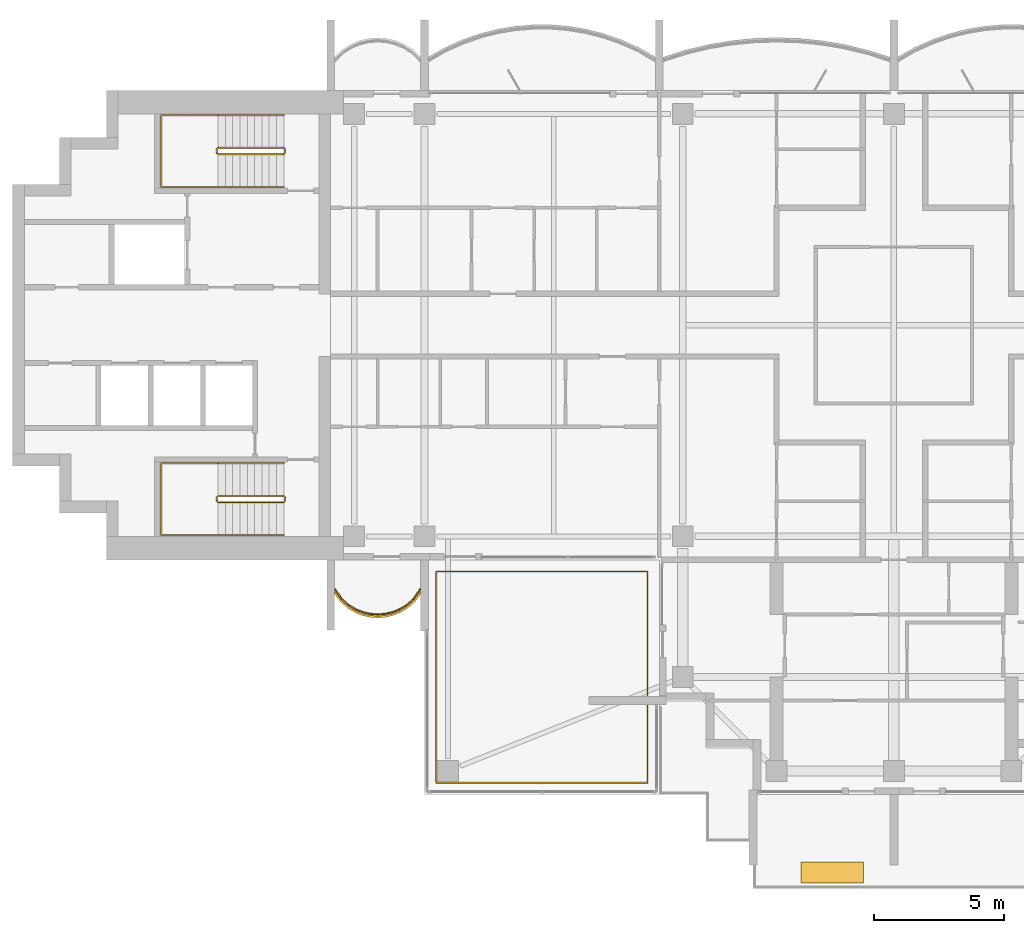
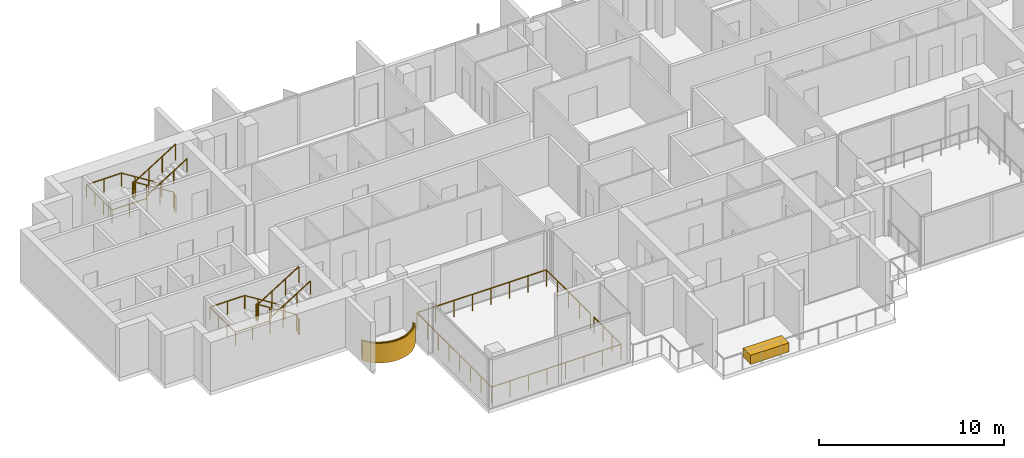
# One storey, part 13 of 16: 6 railings, 2 coverings.
"""IFC4 building model written with IfcOpenShell, lengths in metres."""

from ifc_helpers import new_model, si_unit, direction, frame, origin, origin_2d, place, context, subcontext, project, spatial, polyline, rectangle, outline, extrude, material, layer, layer_set, type_object, element, save


model = new_model("IFC4")

# Units and contexts
model_context = context("Model", 3, precision=1e-05, world=origin(), true_north=direction((0.0, 1.0)))
body_context = subcontext(model_context, "Body", "Model", "MODEL_VIEW")
ifc_project = project(units=[si_unit("LENGTHUNIT", "METRE"), si_unit("AREAUNIT", "SQUARE_METRE"), si_unit("VOLUMEUNIT", "CUBIC_METRE"), si_unit("PLANEANGLEUNIT", "RADIAN"), si_unit("MASSUNIT", "GRAM", prefix="KILO")], contexts=[model_context])

# Site, building, storey
site_placement = place(None, origin())
site = spatial("IfcSite", under=ifc_project, at=site_placement, CompositionType="ELEMENT")
building_placement = place(site_placement, origin())
building = spatial("IfcBuilding", under=site, at=building_placement, Name="Perihelion Cross Residences", CompositionType="ELEMENT")
storey_placement = place(building_placement, frame((0.0, 0.0, 232.5)))
storey = spatial("IfcBuildingStorey", under=building, at=storey_placement, Name="L58", CompositionType="ELEMENT", Elevation=232.5)

# Covering
ifc_material_1 = material(Name="Bronze anodised aluminium", Category="aluminium")
ifc_layer = layer(ifc_material_1, 0.070068359375)
ifc_layer_set = layer_set([ifc_layer], Name="Balcony fascia 1300")
covering_type_1 = type_object("IfcCoveringType", Name="Balcony fascia 1300", PredefinedType="CLADDING", material=ifc_layer_set)
covering_1_placement = place(storey_placement, frame((0.0, 0.0, -0.199951171875)))
element("IfcCovering", 1, at=covering_1_placement, inside=storey, type_object=covering_type_1, Name="Fascia BF1 L58 west side south bay 1", PredefinedType="CLADDING", context=body_context, shape_type="SweptSolid", body=[
    extrude(outline(polyline([(-21.226318359375, -10.616455078125), (-20.94091796875, -10.86328125), (-20.655517578125, -11.031494140625), (-20.370361328125, -11.142578125), (-20.085205078125, -11.206298828125), (-19.800048828125, -11.22705078125), (-19.514892578125, -11.206298828125), (-19.229736328125, -11.142578125), (-18.9443359375, -11.031494140625), (-18.6591796875, -10.86328125), (-18.373779296875, -10.616455078125), (-18.14990234375, -10.31689453125), (-18.14990234375, -10.199951171875), (-18.425048828125, -10.568603515625), (-18.699951171875, -10.806396484375), (-18.97509765625, -10.96875), (-19.25, -11.07568359375), (-19.52490234375, -11.136962890625), (-19.800048828125, -11.156982421875), (-20.074951171875, -11.136962890625), (-20.35009765625, -11.07568359375), (-20.625, -10.96875), (-20.89990234375, -10.806396484375), (-21.175048828125, -10.568603515625), (-21.449951171875, -10.199951171875), (-21.449951171875, -10.31689453125), (-21.226318359375, -10.616455078125)])), origin(), (0.0, 0.0, 1.0), 1.300048828125),
])

# Railings
ifc_material_2 = material(Name="Bronze anodised aluminium", Category="aluminium")
railing_type_1 = type_object("IfcRailingType", Name="Balcony guard 1100", PredefinedType="GUARDRAIL", material=ifc_material_2)
railing_1_placement = place(storey_placement, frame((-21.425048828125, -10.139892578125, 0.0)))
element("IfcRailing", 2, at=railing_1_placement, inside=storey, type_object=railing_type_1, Name="Guard GU1 L58 west side south bay 1 balcony", PredefinedType="GUARDRAIL", context=body_context, shape_type="SweptSolid", body=[
    extrude(rectangle(XDim=0.048095703125, YDim=0.048095703125, at=origin_2d()), frame((0.0, 0.0, 1.076171875), z_axis=(0.561260132269, -0.827639452857, 0.0), x_axis=(0.827639452857, 0.561260132269, 0.0)), (0.0, 0.0, 1.0), 0.4453125),
    extrude(rectangle(XDim=0.048095703125, YDim=0.048095703125, at=origin_2d()), frame((0.25, -0.36865234375, 1.076171875), z_axis=(0.756596535164, -0.653882009982, 0.0), x_axis=(0.653882009982, 0.756596535164, 0.0)), (0.0, 0.0, 1.0), 0.36376953125),
    extrude(rectangle(XDim=0.048095703125, YDim=0.048095703125, at=origin_2d()), frame((0.525146484375, -0.6064453125, 1.076171875), z_axis=(0.861048292884, -0.508523192511, 0.0), x_axis=(0.508523192511, 0.861048292884, 0.0)), (0.0, 0.0, 1.0), 0.3193359375),
    extrude(rectangle(XDim=0.048095703125, YDim=0.048095703125, at=origin_2d()), frame((0.800048828125, -0.768798828125, 1.076171875), z_axis=(0.931973602183, -0.362526143656, 0.0), x_axis=(0.362526143656, 0.931973602183, 0.0)), (0.0, 0.0, 1.0), 0.294921875),
    extrude(rectangle(XDim=0.048095703125, YDim=0.048095703125, at=origin_2d()), frame((1.074951171875, -0.875732421875, 1.076171875), z_axis=(0.976085059389, -0.21738895289, 0.0), x_axis=(0.21738895289, 0.976085059389, 0.0)), (0.0, 0.0, 1.0), 0.281982421875),
    extrude(rectangle(XDim=0.048095703125, YDim=0.048095703125, at=origin_2d()), frame((1.35009765625, -0.93701171875, 1.076171875), z_axis=(0.997358821833, -0.072631814734, 0.0), x_axis=(0.072631814734, 0.997358821833, 0.0)), (0.0, 0.0, 1.0), 0.275634765625),
    extrude(rectangle(XDim=0.048095703125, YDim=0.048095703125, at=origin_2d()), frame((1.625, -0.95703125, 1.076171875), z_axis=(0.997363488337, 0.072567707226, 0.0), x_axis=(-0.072567707226, 0.997363488337, 0.0)), (0.0, 0.0, 1.0), 0.27587890625),
    extrude(rectangle(XDim=0.048095703125, YDim=0.048095703125, at=origin_2d()), frame((1.900146484375, -0.93701171875, 1.076171875), z_axis=(0.976044077717, 0.217572880557, 0.0), x_axis=(-0.217572880557, 0.976044077717, 0.0)), (0.0, 0.0, 1.0), 0.28173828125),
    extrude(rectangle(XDim=0.048095703125, YDim=0.048095703125, at=origin_2d()), frame((2.175048828125, -0.875732421875, 1.076171875), z_axis=(0.931973602183, 0.362526143656, 0.0), x_axis=(-0.362526143656, 0.931973602183, 0.0)), (0.0, 0.0, 1.0), 0.294921875),
    extrude(rectangle(XDim=0.048095703125, YDim=0.048095703125, at=origin_2d()), frame((2.449951171875, -0.768798828125, 1.076171875), z_axis=(0.861245845072, 0.508188542123, 0.0), x_axis=(-0.508188542123, 0.861245845072, 0.0)), (0.0, 0.0, 1.0), 0.319580078125),
    extrude(rectangle(XDim=0.048095703125, YDim=0.048095703125, at=origin_2d()), frame((2.72509765625, -0.6064453125, 1.076171875), z_axis=(0.756309278473, 0.654214242658, 0.0), x_axis=(-0.654214242658, 0.756309278473, 0.0)), (0.0, 0.0, 1.0), 0.363525390625),
    extrude(rectangle(XDim=0.048095703125, YDim=0.048095703125, at=origin_2d()), frame((3.0, -0.36865234375, 1.076171875), z_axis=(0.561260132269, 0.827639452857, 0.0), x_axis=(-0.827639452857, 0.561260132269, 0.0)), (0.0, 0.0, 1.0), 0.4453125),
    extrude(rectangle(XDim=0.0419921875, YDim=0.0419921875, at=origin_2d()), origin(), (0.0, 0.0, 1.0), 1.052001953125),
    extrude(rectangle(XDim=0.0419921875, YDim=0.0419921875, at=origin_2d()), frame((0.25, -0.36865234375, 0.0)), (0.0, 0.0, 1.0), 1.052001953125),
    extrude(rectangle(XDim=0.0419921875, YDim=0.0419921875, at=origin_2d()), frame((0.525146484375, -0.6064453125, 0.0)), (0.0, 0.0, 1.0), 1.052001953125),
    extrude(rectangle(XDim=0.0419921875, YDim=0.0419921875, at=origin_2d()), frame((0.800048828125, -0.768798828125, 0.0)), (0.0, 0.0, 1.0), 1.052001953125),
    extrude(rectangle(XDim=0.0419921875, YDim=0.0419921875, at=origin_2d()), frame((1.074951171875, -0.875732421875, 0.0)), (0.0, 0.0, 1.0), 1.052001953125),
    extrude(rectangle(XDim=0.0419921875, YDim=0.0419921875, at=origin_2d()), frame((1.35009765625, -0.93701171875, 0.0)), (0.0, 0.0, 1.0), 1.052001953125),
    extrude(rectangle(XDim=0.0419921875, YDim=0.0419921875, at=origin_2d()), frame((1.625, -0.95703125, 0.0)), (0.0, 0.0, 1.0), 1.052001953125),
    extrude(rectangle(XDim=0.0419921875, YDim=0.0419921875, at=origin_2d()), frame((1.900146484375, -0.93701171875, 0.0)), (0.0, 0.0, 1.0), 1.052001953125),
    extrude(rectangle(XDim=0.0419921875, YDim=0.0419921875, at=origin_2d()), frame((2.175048828125, -0.875732421875, 0.0)), (0.0, 0.0, 1.0), 1.052001953125),
    extrude(rectangle(XDim=0.0419921875, YDim=0.0419921875, at=origin_2d()), frame((2.449951171875, -0.768798828125, 0.0)), (0.0, 0.0, 1.0), 1.052001953125),
    extrude(rectangle(XDim=0.0419921875, YDim=0.0419921875, at=origin_2d()), frame((2.72509765625, -0.6064453125, 0.0)), (0.0, 0.0, 1.0), 1.052001953125),
    extrude(rectangle(XDim=0.0419921875, YDim=0.0419921875, at=origin_2d()), frame((3.0, -0.36865234375, 0.0)), (0.0, 0.0, 1.0), 1.052001953125),
    extrude(rectangle(XDim=0.0419921875, YDim=0.0419921875, at=origin_2d()), frame((3.25, 0.0, 0.0)), (0.0, 0.0, 1.0), 1.052001953125),
])
railing_2_placement = place(storey_placement, frame((-9.449951171875, -14.590087890625, 0.0)))
element("IfcRailing", 3, at=railing_2_placement, inside=storey, type_object=railing_type_1, Name="Guard GU1 L58 pocket south-west 1", PredefinedType="GUARDRAIL", context=body_context, shape_type="SweptSolid", body=[
    extrude(rectangle(XDim=0.048095703125, YDim=0.048095703125, at=origin_2d()), frame((0.0, 0.0, 1.076171875), z_axis=(0.0, -1.0, 0.0), x_axis=(1.0, 0.0, 0.0)), (0.0, 0.0, 1.0), 2.9599609375),
    extrude(rectangle(XDim=0.048095703125, YDim=0.048095703125, at=origin_2d()), frame((0.0, -2.9599609375, 1.076171875), z_axis=(-1.0, 0.0, 0.0), x_axis=(0.0, -1.0, 0.0)), (0.0, 0.0, 1.0), 8.10009765625),
    extrude(rectangle(XDim=0.048095703125, YDim=0.048095703125, at=origin_2d()), frame((-8.10009765625, -2.9599609375, 1.076171875), z_axis=(0.0, 1.0, 0.0), x_axis=(-1.0, 0.0, 0.0)), (0.0, 0.0, 1.0), 8.10009765625),
    extrude(rectangle(XDim=0.048095703125, YDim=0.048095703125, at=origin_2d()), frame((-8.10009765625, 5.14013671875, 1.076171875), z_axis=(1.0, 0.0, 0.0), x_axis=(0.0, 1.0, 0.0)), (0.0, 0.0, 1.0), 8.10009765625),
    extrude(rectangle(XDim=0.048095703125, YDim=0.048095703125, at=origin_2d()), frame((0.0, 5.14013671875, 1.076171875), z_axis=(0.0, -1.0, 0.0), x_axis=(1.0, 0.0, 0.0)), (0.0, 0.0, 1.0), 4.760009765625),
    extrude(rectangle(XDim=0.0419921875, YDim=0.0419921875, at=origin_2d()), origin(), (0.0, 0.0, 1.0), 1.052001953125),
    extrude(rectangle(XDim=0.0419921875, YDim=0.0419921875, at=origin_2d()), frame((0.0, -0.986572265625, 0.0)), (0.0, 0.0, 1.0), 1.052001953125),
    extrude(rectangle(XDim=0.0419921875, YDim=0.0419921875, at=origin_2d()), frame((0.0, -1.973388671875, 0.0)), (0.0, 0.0, 1.0), 1.052001953125),
    extrude(rectangle(XDim=0.0419921875, YDim=0.0419921875, at=origin_2d()), frame((0.0, -2.9599609375, 0.0)), (0.0, 0.0, 1.0), 1.052001953125),
    extrude(rectangle(XDim=0.0419921875, YDim=0.0419921875, at=origin_2d()), frame((-1.1572265625, -2.9599609375, 0.0)), (0.0, 0.0, 1.0), 1.052001953125),
    extrude(rectangle(XDim=0.0419921875, YDim=0.0419921875, at=origin_2d()), frame((-2.314208984375, -2.9599609375, 0.0)), (0.0, 0.0, 1.0), 1.052001953125),
    extrude(rectangle(XDim=0.0419921875, YDim=0.0419921875, at=origin_2d()), frame((-3.471435546875, -2.9599609375, 0.0)), (0.0, 0.0, 1.0), 1.052001953125),
    extrude(rectangle(XDim=0.0419921875, YDim=0.0419921875, at=origin_2d()), frame((-4.628662109375, -2.9599609375, 0.0)), (0.0, 0.0, 1.0), 1.052001953125),
    extrude(rectangle(XDim=0.0419921875, YDim=0.0419921875, at=origin_2d()), frame((-5.785888671875, -2.9599609375, 0.0)), (0.0, 0.0, 1.0), 1.052001953125),
    extrude(rectangle(XDim=0.0419921875, YDim=0.0419921875, at=origin_2d()), frame((-6.94287109375, -2.9599609375, 0.0)), (0.0, 0.0, 1.0), 1.052001953125),
    extrude(rectangle(XDim=0.0419921875, YDim=0.0419921875, at=origin_2d()), frame((-8.10009765625, -2.9599609375, 0.0)), (0.0, 0.0, 1.0), 1.052001953125),
    extrude(rectangle(XDim=0.0419921875, YDim=0.0419921875, at=origin_2d()), frame((-8.10009765625, -1.802734375, 0.0)), (0.0, 0.0, 1.0), 1.052001953125),
    extrude(rectangle(XDim=0.0419921875, YDim=0.0419921875, at=origin_2d()), frame((-8.10009765625, -0.645751953125, 0.0)), (0.0, 0.0, 1.0), 1.052001953125),
    extrude(rectangle(XDim=0.0419921875, YDim=0.0419921875, at=origin_2d()), frame((-8.10009765625, 0.511474609375, 0.0)), (0.0, 0.0, 1.0), 1.052001953125),
    extrude(rectangle(XDim=0.0419921875, YDim=0.0419921875, at=origin_2d()), frame((-8.10009765625, 1.668701171875, 0.0)), (0.0, 0.0, 1.0), 1.052001953125),
    extrude(rectangle(XDim=0.0419921875, YDim=0.0419921875, at=origin_2d()), frame((-8.10009765625, 2.825927734375, 0.0)), (0.0, 0.0, 1.0), 1.052001953125),
    extrude(rectangle(XDim=0.0419921875, YDim=0.0419921875, at=origin_2d()), frame((-8.10009765625, 3.98291015625, 0.0)), (0.0, 0.0, 1.0), 1.052001953125),
    extrude(rectangle(XDim=0.0419921875, YDim=0.0419921875, at=origin_2d()), frame((-8.10009765625, 5.14013671875, 0.0)), (0.0, 0.0, 1.0), 1.052001953125),
    extrude(rectangle(XDim=0.0419921875, YDim=0.0419921875, at=origin_2d()), frame((-6.94287109375, 5.14013671875, 0.0)), (0.0, 0.0, 1.0), 1.052001953125),
    extrude(rectangle(XDim=0.0419921875, YDim=0.0419921875, at=origin_2d()), frame((-5.785888671875, 5.14013671875, 0.0)), (0.0, 0.0, 1.0), 1.052001953125),
    extrude(rectangle(XDim=0.0419921875, YDim=0.0419921875, at=origin_2d()), frame((-4.628662109375, 5.14013671875, 0.0)), (0.0, 0.0, 1.0), 1.052001953125),
    extrude(rectangle(XDim=0.0419921875, YDim=0.0419921875, at=origin_2d()), frame((-3.471435546875, 5.14013671875, 0.0)), (0.0, 0.0, 1.0), 1.052001953125),
    extrude(rectangle(XDim=0.0419921875, YDim=0.0419921875, at=origin_2d()), frame((-2.314208984375, 5.14013671875, 0.0)), (0.0, 0.0, 1.0), 1.052001953125),
    extrude(rectangle(XDim=0.0419921875, YDim=0.0419921875, at=origin_2d()), frame((-1.1572265625, 5.14013671875, 0.0)), (0.0, 0.0, 1.0), 1.052001953125),
    extrude(rectangle(XDim=0.0419921875, YDim=0.0419921875, at=origin_2d()), frame((0.0, 5.14013671875, 0.0)), (0.0, 0.0, 1.0), 1.052001953125),
    extrude(rectangle(XDim=0.0419921875, YDim=0.0419921875, at=origin_2d()), frame((0.0, 3.9501953125, 0.0)), (0.0, 0.0, 1.0), 1.052001953125),
    extrude(rectangle(XDim=0.0419921875, YDim=0.0419921875, at=origin_2d()), frame((0.0, 2.76025390625, 0.0)), (0.0, 0.0, 1.0), 1.052001953125),
    extrude(rectangle(XDim=0.0419921875, YDim=0.0419921875, at=origin_2d()), frame((0.0, 1.570068359375, 0.0)), (0.0, 0.0, 1.0), 1.052001953125),
    extrude(rectangle(XDim=0.0419921875, YDim=0.0419921875, at=origin_2d()), frame((0.0, 0.380126953125, 0.0)), (0.0, 0.0, 1.0), 1.052001953125),
])

# Covering
ifc_material_3 = material(Name="Precast concrete C40/50", Category="concrete")
covering_type_2 = type_object("IfcCoveringType", Name="Planter box 2400", PredefinedType="USERDEFINED", material=ifc_material_3)
covering_2_placement = place(storey_placement, frame((-2.3701171875, -20.989990234375, 0.0), z_axis=(0.0, 0.0, 1.0), x_axis=(-1.0, 0.0, 0.0)))
element("IfcCovering", 4, at=covering_2_placement, inside=storey, type_object=covering_type_2, Name="Planter PT1 L58 terrace 1 1", ObjectType="PLANTER", PredefinedType="USERDEFINED", context=body_context, shape_type="SweptSolid", body=[
    extrude(rectangle(XDim=2.39990234375, YDim=0.800048828125, at=origin_2d()), origin(), (0.0, 0.0, 1.0), 0.60009765625),
])

# Railings
ifc_material_4 = material(Name="Stainless steel", Category="steel")
railing_type_2 = type_object("IfcRailingType", Name="Stair guard 1100", PredefinedType="GUARDRAIL", material=ifc_material_4)
railing_3_placement = place(storey_placement, frame((-23.35009765625, 6.60009765625, 0.0)))
element("IfcRailing", 5, at=railing_3_placement, inside=storey, type_object=railing_type_2, Name="L58 ST-W1 stair guard 1", PredefinedType="GUARDRAIL", context=body_context, shape_type="SweptSolid", body=[
    extrude(rectangle(XDim=0.048095703125, YDim=0.048095703125, at=origin_2d()), frame((0.0, 0.0, 1.076171875), z_axis=(0.0, 1.0, 0.0), x_axis=(-1.0, 0.0, 0.0)), (0.0, 0.0, 1.0), 0.14990234375),
    extrude(rectangle(XDim=0.048095703125, YDim=0.048095703125, at=origin_2d()), frame((0.0, 0.14990234375, 1.076171875), z_axis=(-0.263862480399, 0.265155923931, 0.927399011991), x_axis=(-0.708833529934, -0.705375805398, 0.0)), (0.0, 0.0, 1.0), 0.188720703125),
    extrude(rectangle(XDim=0.048095703125, YDim=0.048095703125, at=origin_2d()), frame((-0.0498046875, 0.199951171875, 1.2509765625), z_axis=(-0.848007534815, 0.0, 0.529984170421), x_axis=(0.0, -1.0, 0.0)), (0.0, 0.0, 1.0), 2.9716796875),
    extrude(rectangle(XDim=0.048095703125, YDim=0.048095703125, at=origin_2d()), frame((-2.56982421875, 0.199951171875, 2.826171875), z_axis=(-0.707106781187, -0.707106781187, 0.0), x_axis=(0.707106781187, -0.707106781187, 0.0)), (0.0, 0.0, 1.0), 0.07080078125),
    extrude(rectangle(XDim=0.048095703125, YDim=0.048095703125, at=origin_2d()), frame((-2.619873046875, 0.14990234375, 2.826171875), z_axis=(0.0, -1.0, 0.0), x_axis=(1.0, 0.0, 0.0)), (0.0, 0.0, 1.0), 0.14990234375),
    extrude(rectangle(XDim=0.048095703125, YDim=0.048095703125, at=origin_2d()), frame((-2.619873046875, 0.0, 2.826171875), z_axis=(0.265065253269, -0.265065253269, 0.927081885822), x_axis=(0.707106781187, 0.707106781187, 0.0)), (0.0, 0.0, 1.0), 0.188720703125),
    extrude(rectangle(XDim=0.048095703125, YDim=0.048095703125, at=origin_2d()), frame((-2.56982421875, -0.050048828125, 3.0009765625), z_axis=(0.848007534815, 0.0, 0.529984170421), x_axis=(0.0, 1.0, 0.0)), (0.0, 0.0, 1.0), 2.9716796875),
    extrude(rectangle(XDim=0.0419921875, YDim=0.0419921875, at=origin_2d()), origin(), (0.0, 0.0, 1.0), 1.052001953125),
    extrude(rectangle(XDim=0.0419921875, YDim=0.0419921875, at=origin_2d()), frame((0.0, 0.14990234375, 0.0)), (0.0, 0.0, 1.0), 1.052001953125),
    extrude(rectangle(XDim=0.0419921875, YDim=0.0419921875, at=origin_2d()), frame((-0.0498046875, 0.199951171875, 0.175048828125)), (0.0, 0.0, 1.0), 1.052001953125),
    extrude(rectangle(XDim=0.0419921875, YDim=0.0419921875, at=origin_2d()), frame((-0.889892578125, 0.199951171875, 0.699951171875)), (0.0, 0.0, 1.0), 1.052001953125),
    extrude(rectangle(XDim=0.0419921875, YDim=0.0419921875, at=origin_2d()), frame((-1.729736328125, 0.199951171875, 1.22509765625)), (0.0, 0.0, 1.0), 1.052001953125),
    extrude(rectangle(XDim=0.0419921875, YDim=0.0419921875, at=origin_2d()), frame((-2.56982421875, 0.199951171875, 1.75)), (0.0, 0.0, 1.0), 1.052001953125),
    extrude(rectangle(XDim=0.0419921875, YDim=0.0419921875, at=origin_2d()), frame((-2.619873046875, 0.14990234375, 1.75)), (0.0, 0.0, 1.0), 1.052001953125),
    extrude(rectangle(XDim=0.0419921875, YDim=0.0419921875, at=origin_2d()), frame((-2.619873046875, 0.0, 1.75)), (0.0, 0.0, 1.0), 1.052001953125),
    extrude(rectangle(XDim=0.0419921875, YDim=0.0419921875, at=origin_2d()), frame((-2.56982421875, -0.050048828125, 1.925048828125)), (0.0, 0.0, 1.0), 1.052001953125),
    extrude(rectangle(XDim=0.0419921875, YDim=0.0419921875, at=origin_2d()), frame((-1.729736328125, -0.050048828125, 2.449951171875)), (0.0, 0.0, 1.0), 1.052001953125),
    extrude(rectangle(XDim=0.0419921875, YDim=0.0419921875, at=origin_2d()), frame((-0.889892578125, -0.050048828125, 2.97509765625)), (0.0, 0.0, 1.0), 1.052001953125),
    extrude(rectangle(XDim=0.0419921875, YDim=0.0419921875, at=origin_2d()), frame((-0.0498046875, -0.050048828125, 3.5)), (0.0, 0.0, 1.0), 1.052001953125),
])
railing_4_placement = place(storey_placement, frame((-23.35009765625, -6.75, 0.0)))
element("IfcRailing", 6, at=railing_4_placement, inside=storey, type_object=railing_type_2, Name="L58 ST-W2 stair guard 1", PredefinedType="GUARDRAIL", context=body_context, shape_type="SweptSolid", body=[
    extrude(rectangle(XDim=0.048095703125, YDim=0.048095703125, at=origin_2d()), frame((0.0, 0.0, 1.076171875), z_axis=(0.0, 1.0, 0.0), x_axis=(-1.0, 0.0, 0.0)), (0.0, 0.0, 1.0), 0.14990234375),
    extrude(rectangle(XDim=0.048095703125, YDim=0.048095703125, at=origin_2d()), frame((0.0, 0.14990234375, 1.076171875), z_axis=(-0.263862480399, 0.265155923931, 0.927399011991), x_axis=(-0.708833529934, -0.705375805398, 0.0)), (0.0, 0.0, 1.0), 0.188720703125),
    extrude(rectangle(XDim=0.048095703125, YDim=0.048095703125, at=origin_2d()), frame((-0.0498046875, 0.199951171875, 1.2509765625), z_axis=(-0.848007534815, 0.0, 0.529984170421), x_axis=(0.0, -1.0, 0.0)), (0.0, 0.0, 1.0), 2.9716796875),
    extrude(rectangle(XDim=0.048095703125, YDim=0.048095703125, at=origin_2d()), frame((-2.56982421875, 0.199951171875, 2.826171875), z_axis=(-0.707106781187, -0.707106781187, 0.0), x_axis=(0.707106781187, -0.707106781187, 0.0)), (0.0, 0.0, 1.0), 0.07080078125),
    extrude(rectangle(XDim=0.048095703125, YDim=0.048095703125, at=origin_2d()), frame((-2.619873046875, 0.14990234375, 2.826171875), z_axis=(0.0, -1.0, 0.0), x_axis=(1.0, 0.0, 0.0)), (0.0, 0.0, 1.0), 0.14990234375),
    extrude(rectangle(XDim=0.048095703125, YDim=0.048095703125, at=origin_2d()), frame((-2.619873046875, 0.0, 2.826171875), z_axis=(0.265065253269, -0.265065253269, 0.927081885822), x_axis=(0.707106781187, 0.707106781187, 0.0)), (0.0, 0.0, 1.0), 0.188720703125),
    extrude(rectangle(XDim=0.048095703125, YDim=0.048095703125, at=origin_2d()), frame((-2.56982421875, -0.050048828125, 3.0009765625), z_axis=(0.848007534815, 0.0, 0.529984170421), x_axis=(0.0, 1.0, 0.0)), (0.0, 0.0, 1.0), 2.9716796875),
    extrude(rectangle(XDim=0.0419921875, YDim=0.0419921875, at=origin_2d()), origin(), (0.0, 0.0, 1.0), 1.052001953125),
    extrude(rectangle(XDim=0.0419921875, YDim=0.0419921875, at=origin_2d()), frame((0.0, 0.14990234375, 0.0)), (0.0, 0.0, 1.0), 1.052001953125),
    extrude(rectangle(XDim=0.0419921875, YDim=0.0419921875, at=origin_2d()), frame((-0.0498046875, 0.199951171875, 0.175048828125)), (0.0, 0.0, 1.0), 1.052001953125),
    extrude(rectangle(XDim=0.0419921875, YDim=0.0419921875, at=origin_2d()), frame((-0.889892578125, 0.199951171875, 0.699951171875)), (0.0, 0.0, 1.0), 1.052001953125),
    extrude(rectangle(XDim=0.0419921875, YDim=0.0419921875, at=origin_2d()), frame((-1.729736328125, 0.199951171875, 1.22509765625)), (0.0, 0.0, 1.0), 1.052001953125),
    extrude(rectangle(XDim=0.0419921875, YDim=0.0419921875, at=origin_2d()), frame((-2.56982421875, 0.199951171875, 1.75)), (0.0, 0.0, 1.0), 1.052001953125),
    extrude(rectangle(XDim=0.0419921875, YDim=0.0419921875, at=origin_2d()), frame((-2.619873046875, 0.14990234375, 1.75)), (0.0, 0.0, 1.0), 1.052001953125),
    extrude(rectangle(XDim=0.0419921875, YDim=0.0419921875, at=origin_2d()), frame((-2.619873046875, 0.0, 1.75)), (0.0, 0.0, 1.0), 1.052001953125),
    extrude(rectangle(XDim=0.0419921875, YDim=0.0419921875, at=origin_2d()), frame((-2.56982421875, -0.050048828125, 1.925048828125)), (0.0, 0.0, 1.0), 1.052001953125),
    extrude(rectangle(XDim=0.0419921875, YDim=0.0419921875, at=origin_2d()), frame((-1.729736328125, -0.050048828125, 2.449951171875)), (0.0, 0.0, 1.0), 1.052001953125),
    extrude(rectangle(XDim=0.0419921875, YDim=0.0419921875, at=origin_2d()), frame((-0.889892578125, -0.050048828125, 2.97509765625)), (0.0, 0.0, 1.0), 1.052001953125),
    extrude(rectangle(XDim=0.0419921875, YDim=0.0419921875, at=origin_2d()), frame((-0.0498046875, -0.050048828125, 3.5)), (0.0, 0.0, 1.0), 1.052001953125),
])
ifc_material_5 = material(Name="Stainless steel", Category="steel")
railing_type_3 = type_object("IfcRailingType", Name="Stair handrail 900", PredefinedType="HANDRAIL", material=ifc_material_5)
railing_5_placement = place(storey_placement, frame((-23.39990234375, 8.050048828125, 0.175048828125)))
element("IfcRailing", 7, at=railing_5_placement, inside=storey, type_object=railing_type_3, Name="L58 ST-W1 stair handrail 1", PredefinedType="HANDRAIL", context=body_context, shape_type="SweptSolid", body=[
    extrude(rectangle(XDim=0.048095703125, YDim=0.048095703125, at=origin_2d()), frame((0.0, 0.0, 0.8759765625), z_axis=(-0.848007534815, 0.0, 0.529984170421), x_axis=(0.0, -1.0, 0.0)), (0.0, 0.0, 1.0), 2.9716796875),
    extrude(rectangle(XDim=0.048095703125, YDim=0.048095703125, at=origin_2d()), frame((-2.52001953125, 0.0, 2.45068359375), z_axis=(-1.0, 0.0, 0.0), x_axis=(0.0, -1.0, 0.0)), (0.0, 0.0, 1.0), 2.18017578125),
    extrude(rectangle(XDim=0.048095703125, YDim=0.048095703125, at=origin_2d()), frame((-4.7001953125, 0.0, 2.45068359375), z_axis=(0.0, -1.0, 0.0), x_axis=(1.0, 0.0, 0.0)), (0.0, 0.0, 1.0), 2.75),
    extrude(rectangle(XDim=0.048095703125, YDim=0.048095703125, at=origin_2d()), frame((-4.7001953125, -2.75, 2.45068359375), z_axis=(1.0, 0.0, 0.0), x_axis=(0.0, 1.0, 0.0)), (0.0, 0.0, 1.0), 2.18017578125),
    extrude(rectangle(XDim=0.048095703125, YDim=0.048095703125, at=origin_2d()), frame((-2.52001953125, -2.75, 2.45068359375), z_axis=(0.0, 0.0, 1.0), x_axis=(1.0, 0.0, 0.0)), (0.0, 0.0, 1.0), 0.175048828125),
    extrude(rectangle(XDim=0.048095703125, YDim=0.048095703125, at=origin_2d()), frame((-2.52001953125, -2.75, 2.6259765625), z_axis=(0.848007534815, 0.0, 0.529984170421), x_axis=(0.0, 1.0, 0.0)), (0.0, 0.0, 1.0), 2.9716796875),
    extrude(rectangle(XDim=0.0419921875, YDim=0.0419921875, at=origin_2d()), origin(), (0.0, 0.0, 1.0), 0.851806640625),
    extrude(rectangle(XDim=0.0419921875, YDim=0.0419921875, at=origin_2d()), frame((-0.840087890625, 0.0, 0.52490234375)), (0.0, 0.0, 1.0), 0.851806640625),
    extrude(rectangle(XDim=0.0419921875, YDim=0.0419921875, at=origin_2d()), frame((-1.679931640625, 0.0, 1.050048828125)), (0.0, 0.0, 1.0), 0.851806640625),
    extrude(rectangle(XDim=0.0419921875, YDim=0.0419921875, at=origin_2d()), frame((-2.52001953125, 0.0, 1.574951171875)), (0.0, 0.0, 1.0), 0.851806640625),
    extrude(rectangle(XDim=0.0419921875, YDim=0.0419921875, at=origin_2d()), frame((-3.610107421875, 0.0, 1.574951171875)), (0.0, 0.0, 1.0), 0.851806640625),
    extrude(rectangle(XDim=0.0419921875, YDim=0.0419921875, at=origin_2d()), frame((-4.7001953125, 0.0, 1.574951171875)), (0.0, 0.0, 1.0), 0.851806640625),
    extrude(rectangle(XDim=0.0419921875, YDim=0.0419921875, at=origin_2d()), frame((-4.7001953125, -0.916748046875, 1.574951171875)), (0.0, 0.0, 1.0), 0.851806640625),
    extrude(rectangle(XDim=0.0419921875, YDim=0.0419921875, at=origin_2d()), frame((-4.7001953125, -1.833251953125, 1.574951171875)), (0.0, 0.0, 1.0), 0.851806640625),
    extrude(rectangle(XDim=0.0419921875, YDim=0.0419921875, at=origin_2d()), frame((-4.7001953125, -2.75, 1.574951171875)), (0.0, 0.0, 1.0), 0.851806640625),
    extrude(rectangle(XDim=0.0419921875, YDim=0.0419921875, at=origin_2d()), frame((-3.610107421875, -2.75, 1.574951171875)), (0.0, 0.0, 1.0), 0.851806640625),
    extrude(rectangle(XDim=0.0419921875, YDim=0.0419921875, at=origin_2d()), frame((-2.52001953125, -2.75, 1.574951171875)), (0.0, 0.0, 1.0), 0.851806640625),
    extrude(rectangle(XDim=0.0419921875, YDim=0.0419921875, at=origin_2d()), frame((-2.52001953125, -2.75, 1.75)), (0.0, 0.0, 1.0), 0.851806640625),
    extrude(rectangle(XDim=0.0419921875, YDim=0.0419921875, at=origin_2d()), frame((-1.679931640625, -2.75, 2.27490234375)), (0.0, 0.0, 1.0), 0.851806640625),
    extrude(rectangle(XDim=0.0419921875, YDim=0.0419921875, at=origin_2d()), frame((-0.840087890625, -2.75, 2.800048828125)), (0.0, 0.0, 1.0), 0.851806640625),
    extrude(rectangle(XDim=0.0419921875, YDim=0.0419921875, at=origin_2d()), frame((0.0, -2.75, 3.324951171875)), (0.0, 0.0, 1.0), 0.851806640625),
])
railing_6_placement = place(storey_placement, frame((-23.39990234375, -5.300048828125, 0.175048828125)))
element("IfcRailing", 8, at=railing_6_placement, inside=storey, type_object=railing_type_3, Name="L58 ST-W2 stair handrail 1", PredefinedType="HANDRAIL", context=body_context, shape_type="SweptSolid", body=[
    extrude(rectangle(XDim=0.048095703125, YDim=0.048095703125, at=origin_2d()), frame((0.0, 0.0, 0.8759765625), z_axis=(-0.848007534815, 0.0, 0.529984170421), x_axis=(0.0, -1.0, 0.0)), (0.0, 0.0, 1.0), 2.9716796875),
    extrude(rectangle(XDim=0.048095703125, YDim=0.048095703125, at=origin_2d()), frame((-2.52001953125, 0.0, 2.45068359375), z_axis=(-1.0, 0.0, 0.0), x_axis=(0.0, -1.0, 0.0)), (0.0, 0.0, 1.0), 2.18017578125),
    extrude(rectangle(XDim=0.048095703125, YDim=0.048095703125, at=origin_2d()), frame((-4.7001953125, 0.0, 2.45068359375), z_axis=(0.0, -1.0, 0.0), x_axis=(1.0, 0.0, 0.0)), (0.0, 0.0, 1.0), 2.75),
    extrude(rectangle(XDim=0.048095703125, YDim=0.048095703125, at=origin_2d()), frame((-4.7001953125, -2.75, 2.45068359375), z_axis=(1.0, 0.0, 0.0), x_axis=(0.0, 1.0, 0.0)), (0.0, 0.0, 1.0), 2.18017578125),
    extrude(rectangle(XDim=0.048095703125, YDim=0.048095703125, at=origin_2d()), frame((-2.52001953125, -2.75, 2.45068359375), z_axis=(0.0, 0.0, 1.0), x_axis=(1.0, 0.0, 0.0)), (0.0, 0.0, 1.0), 0.175048828125),
    extrude(rectangle(XDim=0.048095703125, YDim=0.048095703125, at=origin_2d()), frame((-2.52001953125, -2.75, 2.6259765625), z_axis=(0.848007534815, 0.0, 0.529984170421), x_axis=(0.0, 1.0, 0.0)), (0.0, 0.0, 1.0), 2.9716796875),
    extrude(rectangle(XDim=0.0419921875, YDim=0.0419921875, at=origin_2d()), origin(), (0.0, 0.0, 1.0), 0.851806640625),
    extrude(rectangle(XDim=0.0419921875, YDim=0.0419921875, at=origin_2d()), frame((-0.840087890625, 0.0, 0.52490234375)), (0.0, 0.0, 1.0), 0.851806640625),
    extrude(rectangle(XDim=0.0419921875, YDim=0.0419921875, at=origin_2d()), frame((-1.679931640625, 0.0, 1.050048828125)), (0.0, 0.0, 1.0), 0.851806640625),
    extrude(rectangle(XDim=0.0419921875, YDim=0.0419921875, at=origin_2d()), frame((-2.52001953125, 0.0, 1.574951171875)), (0.0, 0.0, 1.0), 0.851806640625),
    extrude(rectangle(XDim=0.0419921875, YDim=0.0419921875, at=origin_2d()), frame((-3.610107421875, 0.0, 1.574951171875)), (0.0, 0.0, 1.0), 0.851806640625),
    extrude(rectangle(XDim=0.0419921875, YDim=0.0419921875, at=origin_2d()), frame((-4.7001953125, 0.0, 1.574951171875)), (0.0, 0.0, 1.0), 0.851806640625),
    extrude(rectangle(XDim=0.0419921875, YDim=0.0419921875, at=origin_2d()), frame((-4.7001953125, -0.916748046875, 1.574951171875)), (0.0, 0.0, 1.0), 0.851806640625),
    extrude(rectangle(XDim=0.0419921875, YDim=0.0419921875, at=origin_2d()), frame((-4.7001953125, -1.833251953125, 1.574951171875)), (0.0, 0.0, 1.0), 0.851806640625),
    extrude(rectangle(XDim=0.0419921875, YDim=0.0419921875, at=origin_2d()), frame((-4.7001953125, -2.75, 1.574951171875)), (0.0, 0.0, 1.0), 0.851806640625),
    extrude(rectangle(XDim=0.0419921875, YDim=0.0419921875, at=origin_2d()), frame((-3.610107421875, -2.75, 1.574951171875)), (0.0, 0.0, 1.0), 0.851806640625),
    extrude(rectangle(XDim=0.0419921875, YDim=0.0419921875, at=origin_2d()), frame((-2.52001953125, -2.75, 1.574951171875)), (0.0, 0.0, 1.0), 0.851806640625),
    extrude(rectangle(XDim=0.0419921875, YDim=0.0419921875, at=origin_2d()), frame((-2.52001953125, -2.75, 1.75)), (0.0, 0.0, 1.0), 0.851806640625),
    extrude(rectangle(XDim=0.0419921875, YDim=0.0419921875, at=origin_2d()), frame((-1.679931640625, -2.75, 2.27490234375)), (0.0, 0.0, 1.0), 0.851806640625),
    extrude(rectangle(XDim=0.0419921875, YDim=0.0419921875, at=origin_2d()), frame((-0.840087890625, -2.75, 2.800048828125)), (0.0, 0.0, 1.0), 0.851806640625),
    extrude(rectangle(XDim=0.0419921875, YDim=0.0419921875, at=origin_2d()), frame((0.0, -2.75, 3.324951171875)), (0.0, 0.0, 1.0), 0.851806640625),
])

save(model, "model.ifc")
